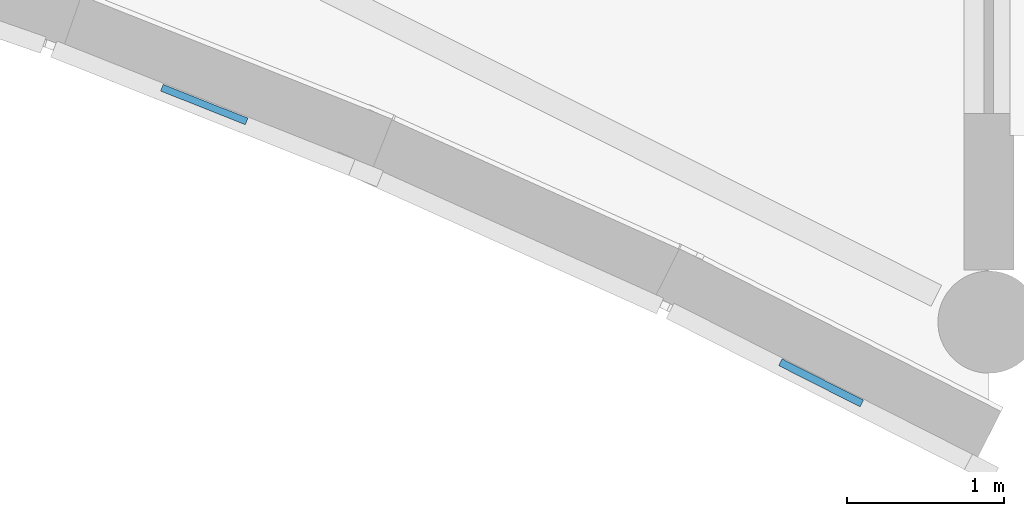
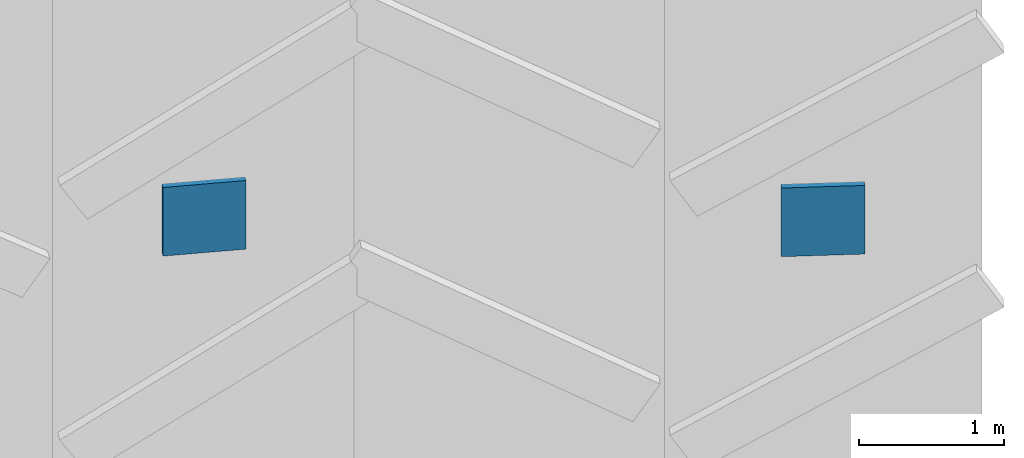
# One storey, part 77 of 116: 2 plates.
"""IFC4 building model written with IfcOpenShell, lengths in metres."""

import ifcopenshell
import ifcopenshell.guid

model = None  # the IFC model being written
_history = None  # IfcOwnerHistory: only IFC2X3 demands one
_inside = {}  # id of a spatial element -> (the spatial element, [elements in it])
_under = {}  # id of a project, library or spatial element -> (it, [spatial elements below it])
_declared = {}  # id of a project -> (the project, [libraries it declares])
_typed = {}  # id of a type object -> (the type object, [elements of that type])
_made_of = {}  # id of a material, layer set ... -> (it, [elements and type objects made of it])


def new_model(schema):
    """Start an empty IFC model of exactly this schema.

    Asked for "IFC4X3", IfcOpenShell would pick the latest addendum, in which some entities
    have other attributes; the version numbers below select the first issue.
    IFC2X3 requires an IfcOwnerHistory on every rooted entity: one is made here for all.
    """
    global model, _history
    if schema == "IFC4X3":
        model = ifcopenshell.file(schema_version=(4, 3, 0, 0))
    else:
        model = ifcopenshell.file(schema=schema)
    _inside.clear()
    _under.clear()
    _declared.clear()
    _typed.clear()
    _made_of.clear()
    _history = None
    if model.schema == "IFC2X3":
        org = make("IfcOrganization", Name="unknown")
        user = make(
            "IfcPersonAndOrganization",
            ThePerson=make("IfcPerson", FamilyName="unknown"),
            TheOrganization=org,
        )
        app = make(
            "IfcApplication",
            ApplicationDeveloper=org,
            Version="unknown",
            ApplicationFullName="unknown",
            ApplicationIdentifier="unknown",
        )
        _history = make(
            "IfcOwnerHistory",
            OwningUser=user,
            OwningApplication=app,
            ChangeAction="ADDED",
            CreationDate=0,
        )
    return model


def make(cls, **values):
    """One entity of the class cls with the attributes given. An attribute that is None is left unset."""
    return model.create_entity(
        cls, **{name: value for name, value in values.items() if value is not None}
    )


def rooted(cls, **values):
    """An entity with a GlobalId (a new one), such as an element, a storey or a relation."""
    return make(cls, GlobalId=ifcopenshell.guid.new(), OwnerHistory=_history, **values)


def si_unit(unit_type, name, prefix=None):
    """IfcSIUnit, for example si_unit("LENGTHUNIT", "METRE", prefix="MILLI")."""
    return make("IfcSIUnit", UnitType=unit_type, Prefix=prefix, Name=name)


def assignment(units):
    """IfcUnitAssignment: the units of a project."""
    return None if units is None else make("IfcUnitAssignment", Units=units)


def point(xyz):
    """IfcCartesianPoint."""
    return None if xyz is None else make("IfcCartesianPoint", Coordinates=xyz)


def direction(xyz):
    """IfcDirection."""
    return None if xyz is None else make("IfcDirection", DirectionRatios=xyz)


def frame(location, z_axis=None, x_axis=None):
    """IfcAxis2Placement3D, a coordinate frame: its origin and axes. An axis left out is left unset."""
    return make(
        "IfcAxis2Placement3D",
        Location=point(location),
        Axis=direction(z_axis),
        RefDirection=direction(x_axis),
    )


def frame_2d(location, x_axis=None):
    """IfcAxis2Placement2D, a coordinate frame in the plane: its origin and x axis."""
    return make(
        "IfcAxis2Placement2D", Location=point(location), RefDirection=direction(x_axis)
    )


def origin():
    """The frame at (0, 0, 0) with its axes left unset."""
    return frame((0.0, 0.0, 0.0))


def origin_2d():
    """The frame at (0, 0) in the plane with its x axis left unset."""
    return frame_2d((0.0, 0.0))


def place(relative_to, where):
    """IfcLocalPlacement: puts the frame where relative to a parent placement (None: the world)."""
    return make(
        "IfcLocalPlacement", PlacementRelTo=relative_to, RelativePlacement=where
    )


def context(
    kind, dimensions, precision=None, world=None, true_north=None, identifier=None
):
    """IfcGeometricRepresentationContext, for example the 3D "Model" context."""
    return make(
        "IfcGeometricRepresentationContext",
        ContextIdentifier=identifier,
        ContextType=kind,
        CoordinateSpaceDimension=dimensions,
        Precision=precision,
        WorldCoordinateSystem=world,
        TrueNorth=true_north,
    )


def subcontext(parent, identifier, kind, view, scale=None):
    """IfcGeometricRepresentationSubContext, for example "Body" below "Model"."""
    return make(
        "IfcGeometricRepresentationSubContext",
        ContextIdentifier=identifier,
        ContextType=kind,
        ParentContext=parent,
        TargetScale=scale,
        TargetView=view,
    )


def project(units=None, contexts=None):
    """IfcProject with its units and contexts."""
    return rooted(
        "IfcProject",
        Name="project",
        RepresentationContexts=contexts,
        UnitsInContext=assignment(units),
    )


def spatial(cls, under=None, at=None, **own):
    """A site, building, storey or space (cls), placed at a placement, below another one or the project."""
    s = rooted(cls, ObjectPlacement=at, **own)
    if under is not None:
        _under.setdefault(under.id(), (under, []))[1].append(s)
    return s


def profile(cls, at=None, kind="AREA", **sizes):
    """A parametric profile (cls). Its sizes go by their IFC names, for example OverallWidth=200.0."""
    return make(cls, ProfileType=kind, Position=at, **sizes)


def rectangle(**sizes):
    """IfcRectangleProfileDef."""
    return profile("IfcRectangleProfileDef", **sizes)


def extrude(swept, where, along, depth):
    """IfcExtrudedAreaSolid: the profile swept, set in the frame where, extruded along a direction by depth."""
    return make(
        "IfcExtrudedAreaSolid",
        SweptArea=swept,
        Position=where,
        ExtrudedDirection=direction(along),
        Depth=depth,
    )


def shape(context_of_items, identifier, shape_type, items):
    """IfcShapeRepresentation: the items that make up one representation, for example the "Body"."""
    return make(
        "IfcShapeRepresentation",
        ContextOfItems=context_of_items,
        RepresentationIdentifier=identifier,
        RepresentationType=shape_type,
        Items=items,
    )


def material(Name=None, Category=None):
    """IfcMaterial."""
    return make("IfcMaterial", Name=Name, Category=Category)


def layer(
    of_material, thickness, ventilated=None, Name=None, Category=None, Priority=None
):
    """IfcMaterialLayer: one layer of a wall or slab, of a material (None: an air gap)."""
    return make(
        "IfcMaterialLayer",
        Material=of_material,
        LayerThickness=thickness,
        IsVentilated=ventilated,
        Name=Name,
        Category=Category,
        Priority=Priority,
    )


def layer_set(layers, Name=None):
    """IfcMaterialLayerSet."""
    return make("IfcMaterialLayerSet", MaterialLayers=layers, LayerSetName=Name)


def made_of(thing, what):
    """Note that an element or type object is made of a material, layer set ...; save() writes the relation."""
    if what is not None:
        _made_of.setdefault(what.id(), (what, []))[1].append(thing)
    return thing


def type_object(cls, material=None, **own):
    """A type object (cls), such as IfcWallType, which elements share."""
    return made_of(rooted(cls, **own), material)


def element(
    cls,
    number,
    at=None,
    inside=None,
    cuts=None,
    type_object=None,
    material=None,
    context=None,
    identifier="Body",
    shape_type=None,
    held_by="IfcProductDefinitionShape",
    body=None,
    shapes=None,
    **own,
):
    """One element of the class cls, such as IfcWall. Its Tag is "e" and its number.

    at: its placement. inside: the storey or other place that contains it. cuts: it is an
    opening in that element (IfcRelVoidsElement). A single representation is given by context,
    identifier, shape_type and body (its items); several are given by shapes. held_by: the class
    of the entity that holds the representations. save() writes the other relations.
    """
    e = rooted(cls, Tag="e%d" % number, ObjectPlacement=at, **own)
    if body is not None:
        shapes = [shape(context, identifier, shape_type, body)]
    if shapes is not None:
        e.Representation = make(held_by, Representations=shapes)
    if inside is not None:
        _inside.setdefault(inside.id(), (inside, []))[1].append(e)
    if cuts is not None:
        rooted(
            "IfcRelVoidsElement", RelatingBuildingElement=cuts, RelatedOpeningElement=e
        )
    if type_object is not None:
        _typed.setdefault(type_object.id(), (type_object, []))[1].append(e)
    return made_of(e, material)


def aggregate(whole, parts):
    """IfcRelAggregates: a whole, such as a stair, and the parts it consists of."""
    return rooted("IfcRelAggregates", RelatingObject=whole, RelatedObjects=parts)


def save(model, path):
    """Write the relations noted so far, then the file.

    IfcRelAggregates (storeys below a building ...), IfcRelContainedInSpatialStructure (elements
    in a storey), IfcRelDefinesByType, IfcRelAssociatesMaterial and IfcRelDeclares: one each for
    every whole, place, type object, material and project.
    """
    for whole, parts in _under.values():
        aggregate(whole, parts)
    for where, things in _inside.values():
        rooted(
            "IfcRelContainedInSpatialStructure",
            RelatedElements=things,
            RelatingStructure=where,
        )
    for kind, things in _typed.values():
        rooted("IfcRelDefinesByType", RelatedObjects=things, RelatingType=kind)
    for what, things in _made_of.values():
        rooted("IfcRelAssociatesMaterial", RelatedObjects=things, RelatingMaterial=what)
    for by, libraries in _declared.values():
        rooted("IfcRelDeclares", RelatingContext=by, RelatedDefinitions=libraries)
    model.write(path)


model = new_model("IFC4")

# Units and contexts
model_context = context("Model", 3, precision=1e-05, world=origin(), true_north=direction((0.0, 1.0)))
body_context = subcontext(model_context, "Body", "Model", "MODEL_VIEW")
ifc_project = project(units=[si_unit("LENGTHUNIT", "METRE"), si_unit("AREAUNIT", "SQUARE_METRE"), si_unit("VOLUMEUNIT", "CUBIC_METRE"), si_unit("PLANEANGLEUNIT", "RADIAN"), si_unit("MASSUNIT", "GRAM", prefix="KILO")], contexts=[model_context])

# Site, building, storey
site_placement = place(None, origin())
site = spatial("IfcSite", under=ifc_project, at=site_placement, CompositionType="ELEMENT")
building_placement = place(site_placement, origin())
building = spatial("IfcBuilding", under=site, at=building_placement, Name="Cendralis Lancet Convention Centre", CompositionType="ELEMENT")
storey_placement = place(building_placement, frame((0.0, 0.0, 15.0)))
storey = spatial("IfcBuildingStorey", under=building, at=storey_placement, Name="L03", CompositionType="ELEMENT", Elevation=15.0)

# Plates
ifc_material_1 = material(Name="Warm buff sandstone chevron cassette", Category="masonry")
ifc_layer_1 = layer(ifc_material_1, 0.044921875, Name="Warm buff sandstone chevron cassette")
ifc_layer_set_1 = layer_set([ifc_layer_1], Name="Warm buff sandstone chevron cassette")
plate_type_1 = type_object("IfcPlateType", Name="ARC-PL-CHV1", PredefinedType="SHEET", material=ifc_layer_set_1)
plate_1_placement = place(storey_placement, frame((203.80859375, 2.567626953125, 5.075927734375), z_axis=(0.0, 0.0, 1.0), x_axis=(0.929287369176, -0.369357530706, 0.0)))
element("IfcPlate", 1, at=plate_1_placement, inside=storey, type_object=plate_type_1, Name="Chevron Keystone Cassette CHV-S1 #0156", PredefinedType="SHEET", context=body_context, shape_type="SweptSolid", body=[
    extrude(rectangle(XDim=0.580078125, YDim=0.044921875, at=origin_2d()), origin(), (0.0, 0.0, 1.0), 0.580078125),
])
ifc_material_2 = material(Name="Dark Andean slate chevron cassette", Category="masonry")
ifc_layer_2 = layer(ifc_material_2, 0.048095703125, Name="Dark Andean slate chevron cassette")
ifc_layer_set_2 = layer_set([ifc_layer_2], Name="Dark Andean slate chevron cassette")
plate_type_2 = type_object("IfcPlateType", Name="ARC-PL-CHV2", PredefinedType="SHEET", material=ifc_layer_set_2)
plate_2_placement = place(storey_placement, frame((207.73193359375, 0.797607421875, 4.75390625), z_axis=(0.0, 0.0, 1.0), x_axis=(0.892152595906, -0.4517341537, 0.0)))
element("IfcPlate", 2, at=plate_2_placement, inside=storey, type_object=plate_type_2, Name="Chevron Keystone Cassette CHV-D1 #0159", PredefinedType="SHEET", context=body_context, shape_type="SweptSolid", body=[
    extrude(rectangle(XDim=0.580078125, YDim=0.048095703125, at=origin_2d()), origin(), (0.0, 0.0, 1.0), 0.580078125),
])

save(model, "model.ifc")
